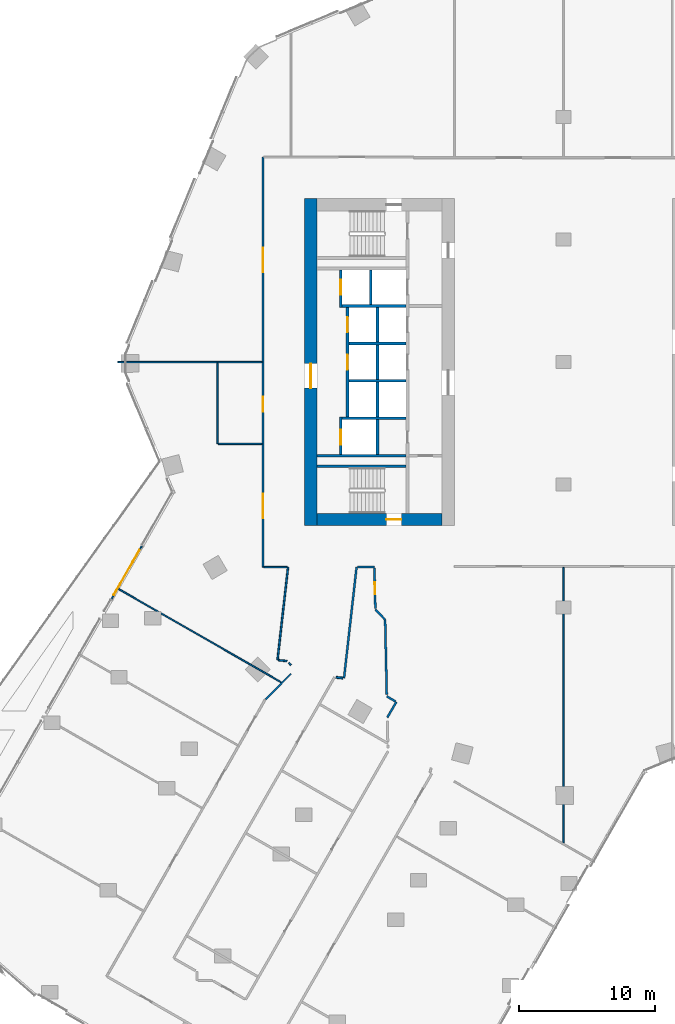
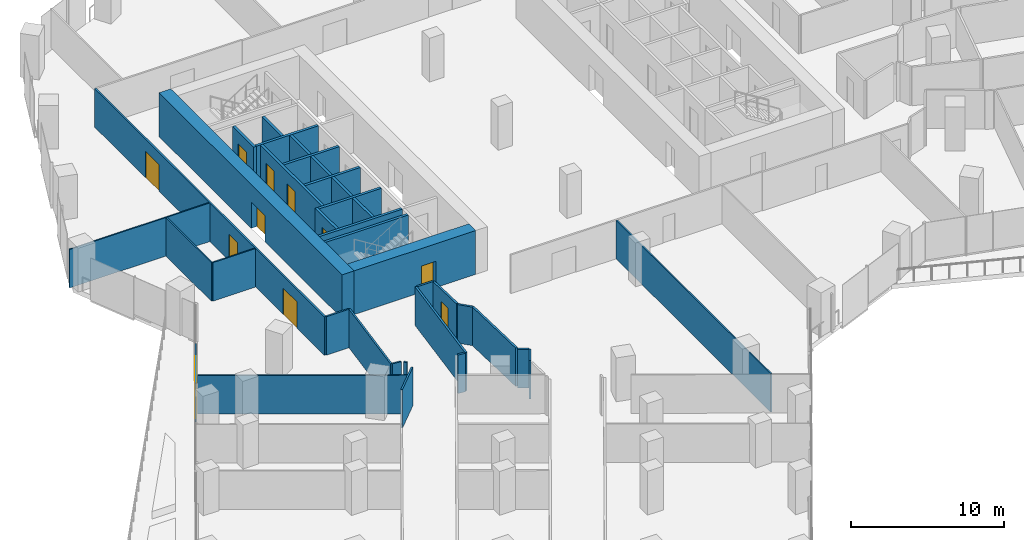
# One storey, part 23 of 34: 36 walls, 11 doors, 2 windows, 13 openings.
"""IFC4 building model written with IfcOpenShell, lengths in metres."""

from ifc_helpers import new_model, si_unit, direction, frame, frame_2d, origin, place, context, subcontext, project, spatial, rectangle, extrude, material, layer, layer_set, type_object, element, fill, save


model = new_model("IFC4")

# Units and contexts
model_context = context("Model", 3, precision=1e-05, world=origin(), true_north=direction((0.0, 1.0)))
body_context = subcontext(model_context, "Body", "Model", "MODEL_VIEW")
ifc_project = project(units=[si_unit("LENGTHUNIT", "METRE"), si_unit("AREAUNIT", "SQUARE_METRE"), si_unit("VOLUMEUNIT", "CUBIC_METRE"), si_unit("PLANEANGLEUNIT", "RADIAN"), si_unit("MASSUNIT", "GRAM", prefix="KILO")], contexts=[model_context])

# Site, building, storey
site_placement = place(None, origin())
site = spatial("IfcSite", under=ifc_project, at=site_placement, CompositionType="ELEMENT")
building_placement = place(site_placement, origin())
building = spatial("IfcBuilding", under=site, at=building_placement, Name="Orlundy Tower", CompositionType="ELEMENT")
storey_placement = place(building_placement, frame((0.0, 0.0, 102.199951171875)))
storey = spatial("IfcBuildingStorey", under=building, at=storey_placement, Name="L25", CompositionType="ELEMENT", Elevation=102.199951171875)

# Wall, opening, door
ifc_material_1 = material(Name="Concrete C80/95", Category="concrete")
ifc_layer_1 = layer(ifc_material_1, 0.89990234375)
ifc_layer_set_1 = layer_set([ifc_layer_1], Name="CORE WALL 900 C80/95")
wall_type_1 = type_object("IfcWallType", Name="CORE WALL 900 C80/95", PredefinedType="SHEAR", material=ifc_layer_set_1)
wall_1_placement = place(storey_placement, frame((-18.10009765625, -11.550048828125, 0.0), z_axis=(0.0, 0.0, 1.0), x_axis=(1.0, 0.0, 0.0)))
wall_1 = element("IfcWall", 1, at=wall_1_placement, inside=storey, type_object=wall_type_1, Name="Core wall W-S L25", PredefinedType="SHEAR", context=body_context, shape_type="SweptSolid", body=[
    extrude(rectangle(XDim=9.2001953125, YDim=0.89990234375, at=frame_2d((4.60009765625, 0.0))), origin(), (0.0, 0.0, 1.0), 3.5),
])
opening_1_placement = place(wall_1_placement, frame((5.10009765625, 0.0, 0.0)))
opening_1 = element("IfcOpeningElement", 2, at=opening_1_placement, cuts=wall_1, Name="Opening 20013", PredefinedType="OPENING", context=body_context, shape_type="SweptSolid", body=[
    extrude(rectangle(XDim=1.10009765625, YDim=2.10009765625, at=frame_2d((0.550048828125, 1.050048828125))), frame((0.0, 0.4599609375, 0.0), z_axis=(0.0, -1.0, 0.0), x_axis=(1.0, 0.0, 0.0)), (0.0, 0.0, 1.0), 0.919921875),
])
ifc_material_2 = material(Name="Steel door set", Category="steel")
door_type_1 = type_object("IfcDoorType", Name="Stair Door 1100x2100", OperationType="SINGLE_SWING_LEFT", PredefinedType="DOOR", material=ifc_material_2)
door_1_placement = place(opening_1_placement, origin())
door_1 = element("IfcDoor", 3, at=door_1_placement, inside=storey, type_object=door_type_1, Name="Stair door 20013", OperationType="SINGLE_SWING_RIGHT", OverallHeight=2.10009765625, OverallWidth=1.10009765625, PredefinedType="DOOR", context=body_context, shape_type="SweptSolid", body=[
    extrude(rectangle(XDim=1.10009765625, YDim=2.10009765625, at=frame_2d((0.550048828125, 1.050048828125))), frame((0.0, 0.02490234375, 0.0), z_axis=(0.0, -1.0, 0.0), x_axis=(1.0, 0.0, 0.0)), (0.0, 0.0, 1.0), 0.050048828125),
])
fill(opening_1, door_1)

wall_2_placement = place(storey_placement, frame((-18.550048828125, -12.0, 0.0), z_axis=(0.0, 0.0, 1.0), x_axis=(0.0, 1.0, 0.0)))
wall_2 = element("IfcWall", 4, at=wall_2_placement, inside=storey, type_object=wall_type_1, Name="Core wall W-W L25", PredefinedType="SHEAR", context=body_context, shape_type="SweptSolid", body=[
    extrude(rectangle(XDim=24.0, YDim=0.89990234375, at=frame_2d((12.0, 0.0))), origin(), (0.0, 0.0, 1.0), 3.5),
])
opening_2_placement = place(wall_2_placement, frame((10.10009765625, 0.0, 0.0)))
opening_2 = element("IfcOpeningElement", 5, at=opening_2_placement, cuts=wall_2, Name="Opening 20010", PredefinedType="OPENING", context=body_context, shape_type="SweptSolid", body=[
    extrude(rectangle(XDim=1.800048828125, YDim=2.10009765625, at=frame_2d((0.89990234375, 1.050048828125))), frame((0.0, 0.4599609375, 0.0), z_axis=(0.0, -1.0, 0.0), x_axis=(1.0, 0.0, 0.0)), (0.0, 0.0, 1.0), 0.919921875),
])
ifc_material_3 = material(Name="Timber door set", Category="wood")
door_type_2 = type_object("IfcDoorType", Name="Lobby Door 1800x2100", OperationType="DOUBLE_DOOR_DOUBLE_SWING", PredefinedType="DOOR", material=ifc_material_3)
door_2_placement = place(opening_2_placement, origin())
door_2 = element("IfcDoor", 6, at=door_2_placement, inside=storey, type_object=door_type_2, Name="Lift lobby door 20010", OperationType="SINGLE_SWING_LEFT", OverallHeight=2.10009765625, OverallWidth=1.800048828125, PredefinedType="DOOR", context=body_context, shape_type="SweptSolid", body=[
    extrude(rectangle(XDim=1.800048828125, YDim=2.10009765625, at=frame_2d((0.89990234375, 1.050048828125))), frame((0.0, 0.02490234375, 0.0), z_axis=(0.0, -1.0, 0.0), x_axis=(1.0, 0.0, 0.0)), (0.0, 0.0, 1.0), 0.050048828125),
])
fill(opening_2, door_2)

# Walls
ifc_material_4 = material(Name="Gypsum board partition")
ifc_layer_2 = layer(ifc_material_4, 0.10009765625)
ifc_layer_set_2 = layer_set([ifc_layer_2], Name="Floor partition 100")
wall_type_2 = type_object("IfcWallType", Name="Floor partition 100", PredefinedType="PARTITIONING", material=ifc_layer_set_2)
wall_3_placement = place(storey_placement, frame((-32.64501953125, -16.662109375, 0.0), z_axis=(0.0, 0.0, 1.0), x_axis=(0.867516428304, -0.497408530911, 0.0)))
element("IfcWall", 7, at=wall_3_placement, inside=storey, type_object=wall_type_2, Name="wall-int-L25-020", PredefinedType="PARTITIONING", context=body_context, shape_type="SweptSolid", body=[
    extrude(rectangle(XDim=13.7451171875, YDim=0.10009765625, at=frame_2d((6.87255859375, 0.0))), origin(), (0.0, 0.0, 1.0), 3.080078125),
])
wall_4_placement = place(storey_placement, frame((-25.33203125, -5.9990234375, 0.0), z_axis=(0.0, 0.0, 1.0), x_axis=(1.0, 0.0, 0.0)))
element("IfcWall", 8, at=wall_4_placement, inside=storey, type_object=wall_type_2, Name="wall-int-L25-043", PredefinedType="PARTITIONING", context=body_context, shape_type="SweptSolid", body=[
    extrude(rectangle(XDim=3.218994140625, YDim=0.10009765625, at=frame_2d((1.609375, 0.0))), origin(), (0.0, 0.0, 1.0), 3.080078125),
])
wall_5_placement = place(storey_placement, frame((-32.7041015625, 0.0, 0.0), z_axis=(0.0, 0.0, 1.0), x_axis=(1.0, 0.0, 0.0)))
element("IfcWall", 9, at=wall_5_placement, inside=storey, type_object=wall_type_2, Name="wall-int-L25-045", PredefinedType="PARTITIONING", context=body_context, shape_type="SweptSolid", body=[
    extrude(rectangle(XDim=10.591064453125, YDim=0.10009765625, at=frame_2d((5.29541015625, 0.0))), origin(), (0.0, 0.0, 1.0), 3.080078125),
])
wall_6_placement = place(storey_placement, frame((-0.0009765625, -35.294921875, 0.0), z_axis=(0.0, 0.0, 1.0), x_axis=(4.8266042e-05, 0.999999998835, 0.0)))
element("IfcWall", 10, at=wall_6_placement, inside=storey, type_object=wall_type_2, Name="wall-int-L25-092", PredefinedType="PARTITIONING", context=body_context, shape_type="SweptSolid", body=[
    extrude(rectangle(XDim=20.23291015625, YDim=0.10009765625, at=frame_2d((10.116455078125, 0.0))), origin(), (0.0, 0.0, 1.0), 3.080078125),
])
wall_7_placement = place(storey_placement, frame((-25.382080078125, -5.9990234375, 0.0), z_axis=(0.0, 0.0, 1.0), x_axis=(0.0, 1.0, 0.0)))
element("IfcWall", 11, at=wall_7_placement, inside=storey, type_object=wall_type_2, Name="wall-int-L25-097", PredefinedType="PARTITIONING", context=body_context, shape_type="SweptSolid", body=[
    extrude(rectangle(XDim=5.948974609375, YDim=0.10009765625, at=frame_2d((2.974609375, 0.0))), origin(), (0.0, 0.0, 1.0), 3.080078125),
])
ifc_material_5 = material(Name="Gypsum board partition, double layer")
ifc_layer_3 = layer(ifc_material_5, 0.125)
ifc_layer_set_3 = layer_set([ifc_layer_3], Name="Floor partition 125")
wall_type_3 = type_object("IfcWallType", Name="Floor partition 125", PredefinedType="PARTITIONING", material=ifc_layer_set_3)
wall_8_placement = place(storey_placement, frame((-20.1630859375, -22.076904296875, 0.0), z_axis=(0.0, 0.0, 1.0), x_axis=(0.707106781187, -0.707106781187, 0.0)))
element("IfcWall", 12, at=wall_8_placement, inside=storey, type_object=wall_type_3, Name="wall-int-L25-006", PredefinedType="PARTITIONING", context=body_context, shape_type="SweptSolid", body=[
    extrude(rectangle(XDim=0.230712890625, YDim=0.125, at=frame_2d((0.115234375, 0.0))), origin(), (0.0, 0.0, 1.0), 3.080078125),
])
wall_9_placement = place(storey_placement, frame((-20.924072265625, -21.8798828125, 0.0), z_axis=(0.0, 0.0, 1.0), x_axis=(0.993780638981, -0.111355473987, 0.0)))
element("IfcWall", 13, at=wall_9_placement, inside=storey, type_object=wall_type_3, Name="wall-int-L25-034", PredefinedType="PARTITIONING", context=body_context, shape_type="SweptSolid", body=[
    extrude(rectangle(XDim=0.637939453125, YDim=0.125, at=frame_2d((0.31884765625, 0.0))), origin(), (0.0, 0.0, 1.0), 3.080078125),
])
wall_10_placement = place(storey_placement, frame((-21.988037109375, -15.051025390625, 0.0), z_axis=(0.0, 0.0, 1.0), x_axis=(1.0, 0.0, 0.0)))
element("IfcWall", 14, at=wall_10_placement, inside=storey, type_object=wall_type_3, Name="wall-int-L25-039", PredefinedType="PARTITIONING", context=body_context, shape_type="SweptSolid", body=[
    extrude(rectangle(XDim=1.712158203125, YDim=0.125, at=frame_2d((0.85595703125, 0.0))), origin(), (0.0, 0.0, 1.0), 3.080078125),
])
wall_11_placement = place(storey_placement, frame((-20.0, -22.882080078125, 0.0), z_axis=(0.0, 0.0, 1.0), x_axis=(-0.705070089301, -0.709137623578, 0.0)))
element("IfcWall", 15, at=wall_11_placement, inside=storey, type_object=wall_type_3, Name="wall-int-L25-054", PredefinedType="PARTITIONING", context=body_context, shape_type="SweptSolid", body=[
    extrude(rectangle(XDim=2.640869140625, YDim=0.125, at=frame_2d((1.3203125, 0.0))), origin(), (0.0, 0.0, 1.0), 3.080078125),
])
wall_12_placement = place(storey_placement, frame((-20.986083984375, -21.8720703125, 0.0), z_axis=(0.0, 0.0, 1.0), x_axis=(0.112457212795, 0.993656568081, 0.0)))
element("IfcWall", 16, at=wall_12_placement, inside=storey, type_object=wall_type_3, Name="wall-int-L25-082", PredefinedType="PARTITIONING", context=body_context, shape_type="SweptSolid", body=[
    extrude(rectangle(XDim=6.864501953125, YDim=0.125, at=frame_2d((3.43212890625, 0.0))), origin(), (0.0, 0.0, 1.0), 3.080078125),
])

# Wall, openings, doors
wall_13_placement = place(storey_placement, frame((-22.050048828125, -15.051025390625, 0.0), z_axis=(0.0, 0.0, 1.0), x_axis=(0.0, 1.0, 0.0)))
wall_13 = element("IfcWall", 17, at=wall_13_placement, inside=storey, type_object=wall_type_3, Name="wall-int-L25-096", PredefinedType="PARTITIONING", context=body_context, shape_type="SweptSolid", body=[
    extrude(rectangle(XDim=30.10205078125, YDim=0.125, at=frame_2d((15.051025390625, 0.0))), origin(), (0.0, 0.0, 1.0), 3.080078125),
])
opening_3_placement = place(wall_13_placement, frame((3.60009765625, 0.0, 0.0)))
opening_3 = element("IfcOpeningElement", 18, at=opening_3_placement, cuts=wall_13, Name="Opening 20122", PredefinedType="OPENING", context=body_context, shape_type="SweptSolid", body=[
    extrude(rectangle(XDim=1.800048828125, YDim=2.10009765625, at=frame_2d((0.89990234375, 1.050048828125))), frame((0.0, 0.072509765625, 0.0), z_axis=(0.0, -1.0, 0.0), x_axis=(1.0, 0.0, 0.0)), (0.0, 0.0, 1.0), 0.14501953125),
])
opening_4_placement = place(wall_13_placement, frame((21.65087890625, 0.0, 0.0)))
opening_4 = element("IfcOpeningElement", 19, at=opening_4_placement, cuts=wall_13, Name="Opening 20132", PredefinedType="OPENING", context=body_context, shape_type="SweptSolid", body=[
    extrude(rectangle(XDim=1.800048828125, YDim=2.10009765625, at=frame_2d((0.89990234375, 1.050048828125))), frame((0.0, 0.072509765625, 0.0), z_axis=(0.0, -1.0, 0.0), x_axis=(1.0, 0.0, 0.0)), (0.0, 0.0, 1.0), 0.14501953125),
])
opening_5_placement = place(wall_13_placement, frame((11.402099609375, 0.0, 0.0)))
opening_5 = element("IfcOpeningElement", 20, at=opening_5_placement, cuts=wall_13, Name="Opening 20134", PredefinedType="OPENING", context=body_context, shape_type="SweptSolid", body=[
    extrude(rectangle(XDim=1.10009765625, YDim=2.10009765625, at=frame_2d((0.550048828125, 1.050048828125))), frame((0.0, 0.072509765625, 0.0), z_axis=(0.0, -1.0, 0.0), x_axis=(1.0, 0.0, 0.0)), (0.0, 0.0, 1.0), 0.14501953125),
])
ifc_material_6 = material(Name="Timber door leaf", Category="wood")
door_type_3 = type_object("IfcDoorType", Name="Floor door double 1800 FD30S", OperationType="NOTDEFINED", PredefinedType="DOOR", material=ifc_material_6)
door_3_placement = place(opening_3_placement, origin())
door_3 = element("IfcDoor", 21, at=door_3_placement, inside=storey, type_object=door_type_3, Name="Door 20122", OperationType="DOUBLE_DOOR_SINGLE_SWING", OverallHeight=2.10009765625, OverallWidth=1.800048828125, PredefinedType="DOOR", context=body_context, shape_type="SweptSolid", body=[
    extrude(rectangle(XDim=1.800048828125, YDim=2.10009765625, at=frame_2d((0.89990234375, 1.050048828125))), frame((0.0, 0.02490234375, 0.0), z_axis=(0.0, -1.0, 0.0), x_axis=(1.0, 0.0, 0.0)), (0.0, 0.0, 1.0), 0.050048828125),
])
fill(opening_3, door_3)
door_4_placement = place(opening_4_placement, origin())
door_4 = element("IfcDoor", 22, at=door_4_placement, inside=storey, type_object=door_type_3, Name="Door 20132", OperationType="DOUBLE_DOOR_SINGLE_SWING", OverallHeight=2.10009765625, OverallWidth=1.800048828125, PredefinedType="DOOR", context=body_context, shape_type="SweptSolid", body=[
    extrude(rectangle(XDim=1.800048828125, YDim=2.10009765625, at=frame_2d((0.89990234375, 1.050048828125))), frame((0.0, 0.02490234375, 0.0), z_axis=(0.0, -1.0, 0.0), x_axis=(1.0, 0.0, 0.0)), (0.0, 0.0, 1.0), 0.050048828125),
])
fill(opening_4, door_4)
ifc_material_7 = material(Name="Timber door leaf", Category="wood")
door_type_4 = type_object("IfcDoorType", Name="Floor door xwide 1100 FD30S", OperationType="NOTDEFINED", PredefinedType="DOOR", material=ifc_material_7)
door_5_placement = place(opening_5_placement, origin())
door_5 = element("IfcDoor", 23, at=door_5_placement, inside=storey, type_object=door_type_4, Name="Door 20134", OperationType="SINGLE_SWING_LEFT", OverallHeight=2.10009765625, OverallWidth=1.10009765625, PredefinedType="DOOR", context=body_context, shape_type="SweptSolid", body=[
    extrude(rectangle(XDim=1.10009765625, YDim=2.10009765625, at=frame_2d((0.550048828125, 1.050048828125))), frame((0.0, 0.02490234375, 0.0), z_axis=(0.0, -1.0, 0.0), x_axis=(1.0, 0.0, 0.0)), (0.0, 0.0, 1.0), 0.050048828125),
])
fill(opening_5, door_5)

# Wall, opening, door
ifc_material_8 = material(Name="Blockwork shaft wall", Category="masonry")
ifc_layer_4 = layer(ifc_material_8, 0.14990234375)
ifc_layer_set_4 = layer_set([ifc_layer_4], Name="Floor shaft wall 150")
wall_type_4 = type_object("IfcWallType", Name="Floor shaft wall 150", PredefinedType="PARTITIONING", material=ifc_layer_set_4)
wall_14_placement = place(storey_placement, frame((-13.802978515625, -18.0791015625, 0.0), z_axis=(0.0, 0.0, 1.0), x_axis=(-0.021654973705, 0.999765503563, 0.0)))
wall_14 = element("IfcWall", 24, at=wall_14_placement, inside=storey, type_object=wall_type_4, Name="wall-int-L25-003", PredefinedType="PARTITIONING", context=body_context, shape_type="SweptSolid", body=[
    extrude(rectangle(XDim=2.953857421875, YDim=0.14990234375, at=frame_2d((1.47705078125, 0.0))), origin(), (0.0, 0.0, 1.0), 3.080078125),
])
opening_6_placement = place(wall_14_placement, frame((1.02490234375, 0.0, 0.0)))
opening_6 = element("IfcOpeningElement", 25, at=opening_6_placement, cuts=wall_14, Name="Opening 20121", PredefinedType="OPENING", context=body_context, shape_type="SweptSolid", body=[
    extrude(rectangle(XDim=0.89990234375, YDim=2.10009765625, at=frame_2d((0.449951171875, 1.050048828125))), frame((0.0, 0.0849609375, 0.0), z_axis=(0.0, -1.0, 0.0), x_axis=(1.0, 0.0, 0.0)), (0.0, 0.0, 1.0), 0.169921875),
])
ifc_material_9 = material(Name="Timber door leaf", Category="wood")
door_type_5 = type_object("IfcDoorType", Name="Floor door single 900 FD60", OperationType="NOTDEFINED", PredefinedType="DOOR", material=ifc_material_9)
door_6_placement = place(opening_6_placement, origin())
door_6 = element("IfcDoor", 26, at=door_6_placement, inside=storey, type_object=door_type_5, Name="Door 20121", OperationType="SINGLE_SWING_LEFT", OverallHeight=2.10009765625, OverallWidth=0.89990234375, PredefinedType="DOOR", context=body_context, shape_type="SweptSolid", body=[
    extrude(rectangle(XDim=0.89990234375, YDim=2.10009765625, at=frame_2d((0.449951171875, 1.050048828125))), frame((0.0, 0.02490234375, 0.0), z_axis=(0.0, -1.0, 0.0), x_axis=(1.0, 0.0, 0.0)), (0.0, 0.0, 1.0), 0.050048828125),
])
fill(opening_6, door_6)

# Walls
wall_15_placement = place(storey_placement, frame((-13.0849609375, -18.9130859375, 0.0), z_axis=(0.0, 0.0, 1.0), x_axis=(0.021995655044, -0.999758066314, 0.0)))
element("IfcWall", 27, at=wall_15_placement, inside=storey, type_object=wall_type_4, Name="wall-int-L25-004", PredefinedType="PARTITIONING", context=body_context, shape_type="SweptSolid", body=[
    extrude(rectangle(XDim=5.494140625, YDim=0.14990234375, at=frame_2d((2.7470703125, 0.0))), origin(), (0.0, 0.0, 1.0), 3.080078125),
])
wall_16_placement = place(storey_placement, frame((-12.9609375, -24.5400390625, 0.0), z_axis=(0.0, 0.0, 1.0), x_axis=(0.863766837374, -0.503891705283, 0.0)))
element("IfcWall", 28, at=wall_16_placement, inside=storey, type_object=wall_type_4, Name="wall-int-L25-007", PredefinedType="PARTITIONING", context=body_context, shape_type="SweptSolid", body=[
    extrude(rectangle(XDim=0.734130859375, YDim=0.14990234375, at=frame_2d((0.3671875, 0.0))), origin(), (0.0, 0.0, 1.0), 3.080078125),
])
wall_17_placement = place(storey_placement, frame((-16.68701171875, -23.14111328125, 0.0), z_axis=(0.0, 0.0, 1.0), x_axis=(0.993552701249, -0.113371203754, 0.0)))
element("IfcWall", 29, at=wall_17_placement, inside=storey, type_object=wall_type_4, Name="wall-int-L25-033", PredefinedType="PARTITIONING", context=body_context, shape_type="SweptSolid", body=[
    extrude(rectangle(XDim=0.51025390625, YDim=0.14990234375, at=frame_2d((0.255126953125, 0.0))), origin(), (0.0, 0.0, 1.0), 3.080078125),
])
wall_18_placement = place(storey_placement, frame((-15.10595703125, -15.051025390625, 0.0), z_axis=(0.0, 0.0, 1.0), x_axis=(1.0, 0.0, 0.0)))
element("IfcWall", 30, at=wall_18_placement, inside=storey, type_object=wall_type_4, Name="wall-int-L25-040", PredefinedType="PARTITIONING", context=body_context, shape_type="SweptSolid", body=[
    extrude(rectangle(XDim=1.237060546875, YDim=0.14990234375, at=frame_2d((0.61865234375, 0.0))), origin(), (0.0, 0.0, 1.0), 3.080078125),
])
wall_19_placement = place(storey_placement, frame((-13.801025390625, -18.154052734375, 0.0), z_axis=(0.0, 0.0, 1.0), x_axis=(0.686218091213, -0.727395855977, 0.0)))
element("IfcWall", 31, at=wall_19_placement, inside=storey, type_object=wall_type_4, Name="wall-int-L25-051", PredefinedType="PARTITIONING", context=body_context, shape_type="SweptSolid", body=[
    extrude(rectangle(XDim=1.04345703125, YDim=0.14990234375, at=frame_2d((0.521728515625, 0.0))), origin(), (0.0, 0.0, 1.0), 3.080078125),
])
wall_20_placement = place(storey_placement, frame((-12.927001953125, -26.092041015625, 0.0), z_axis=(0.0, 0.0, 1.0), x_axis=(0.502562736504, 0.864540742752, 0.0)))
element("IfcWall", 32, at=wall_20_placement, inside=storey, type_object=wall_type_4, Name="wall-int-L25-056", PredefinedType="PARTITIONING", context=body_context, shape_type="SweptSolid", body=[
    extrude(rectangle(XDim=1.3232421875, YDim=0.14990234375, at=frame_2d((0.66162109375, 0.0))), origin(), (0.0, 0.0, 1.0), 3.080078125),
])
wall_21_placement = place(storey_placement, frame((-16.10400390625, -23.20703125, 0.0), z_axis=(0.0, 0.0, 1.0), x_axis=(0.112384250222, 0.993664822917, 0.0)))
element("IfcWall", 33, at=wall_21_placement, inside=storey, type_object=wall_type_4, Name="wall-int-L25-081", PredefinedType="PARTITIONING", context=body_context, shape_type="SweptSolid", body=[
    extrude(rectangle(XDim=8.205078125, YDim=0.14990234375, at=frame_2d((4.1025390625, 0.0))), origin(), (0.0, 0.0, 1.0), 3.080078125),
])

# Wall, openings, windows, door
ifc_material_10 = material(Name="Aluminium bronze and tinted glass", Category="aluminium")
ifc_layer_5 = layer(ifc_material_10, 0.10009765625)
ifc_layer_set_5 = layer_set([ifc_layer_5], Name="Glazed door screen")
wall_type_5 = type_object("IfcWallType", Name="Glazed door screen", PredefinedType="STANDARD", material=ifc_layer_set_5)
wall_22_placement = place(storey_placement, frame((-33.192626953125, -17.41552734375, 0.0), z_axis=(0.0, 0.0, 1.0), x_axis=(0.497482354019, 0.86747409612, 0.0)))
wall_22 = element("IfcWall", 34, at=wall_22_placement, inside=storey, type_object=wall_type_5, Name="Glazed door screen", PredefinedType="STANDARD", context=body_context, shape_type="SweptSolid", body=[
    extrude(rectangle(XDim=4.53857421875, YDim=0.10009765625, at=frame_2d((2.269287109375, 0.0))), origin(), (0.0, 0.0, 1.0), 3.10009765625),
])
opening_7_placement = place(wall_22_placement, frame((1.36865234375, 0.0, 0.0)))
opening_7 = element("IfcOpeningElement", 35, at=opening_7_placement, cuts=wall_22, Name="Opening 20942", PredefinedType="OPENING", context=body_context, shape_type="SweptSolid", body=[
    extrude(rectangle(XDim=1.800048828125, YDim=2.39990234375, at=frame_2d((0.89990234375, 1.199951171875))), frame((0.0, 0.06005859375, 0.0), z_axis=(0.0, -1.0, 0.0), x_axis=(1.0, 0.0, 0.0)), (0.0, 0.0, 1.0), 0.1201171875),
])
opening_8_placement = place(wall_22_placement, frame((0.36865234375, 0.0, 0.0)))
opening_8 = element("IfcOpeningElement", 36, at=opening_8_placement, cuts=wall_22, Name="Opening W02", PredefinedType="OPENING", context=body_context, shape_type="SweptSolid", body=[
    extrude(rectangle(XDim=0.89990234375, YDim=2.39990234375, at=frame_2d((0.449951171875, 1.199951171875))), frame((0.0, 0.06005859375, 0.0), z_axis=(0.0, -1.0, 0.0), x_axis=(1.0, 0.0, 0.0)), (0.0, 0.0, 1.0), 0.1201171875),
])
opening_9_placement = place(wall_22_placement, frame((3.2685546875, 0.0, 0.0)))
opening_9 = element("IfcOpeningElement", 37, at=opening_9_placement, cuts=wall_22, Name="Opening W02", PredefinedType="OPENING", context=body_context, shape_type="SweptSolid", body=[
    extrude(rectangle(XDim=0.89990234375, YDim=2.39990234375, at=frame_2d((0.449951171875, 1.199951171875))), frame((0.0, 0.06005859375, 0.0), z_axis=(0.0, -1.0, 0.0), x_axis=(1.0, 0.0, 0.0)), (0.0, 0.0, 1.0), 0.1201171875),
])
ifc_material_11 = material(Name="Tinted glass in bronze aluminium frame", Category="aluminium")
window_type = type_object("IfcWindowType", Name="SL2 sidelight 900x2400", PartitioningType="SINGLE_PANEL", PredefinedType="WINDOW", material=ifc_material_11)
window_1_placement = place(opening_8_placement, origin())
window_1 = element("IfcWindow", 38, at=window_1_placement, inside=storey, type_object=window_type, Name="Window W02 L25", OverallHeight=2.39990234375, OverallWidth=0.89990234375, PartitioningType="SINGLE_PANEL", PredefinedType="WINDOW", context=body_context, shape_type="SweptSolid", body=[
    extrude(rectangle(XDim=0.89990234375, YDim=2.39990234375, at=frame_2d((0.449951171875, 1.199951171875))), frame((0.0, 0.030029296875, 0.0), z_axis=(0.0, -1.0, 0.0), x_axis=(1.0, 0.0, 0.0)), (0.0, 0.0, 1.0), 0.06005859375),
])
fill(opening_8, window_1)
window_2_placement = place(opening_9_placement, origin())
window_2 = element("IfcWindow", 39, at=window_2_placement, inside=storey, type_object=window_type, Name="Window W02 L25", OverallHeight=2.39990234375, OverallWidth=0.89990234375, PartitioningType="SINGLE_PANEL", PredefinedType="WINDOW", context=body_context, shape_type="SweptSolid", body=[
    extrude(rectangle(XDim=0.89990234375, YDim=2.39990234375, at=frame_2d((0.449951171875, 1.199951171875))), frame((0.0, 0.030029296875, 0.0), z_axis=(0.0, -1.0, 0.0), x_axis=(1.0, 0.0, 0.0)), (0.0, 0.0, 1.0), 0.06005859375),
])
fill(opening_9, window_2)
ifc_material_12 = material(Name="Aluminium bronze and tinted glass", Category="aluminium")
door_type_6 = type_object("IfcDoorType", Name="TD1 terrace door 1800x2400", OperationType="NOTDEFINED", PredefinedType="DOOR", material=ifc_material_12)
door_7_placement = place(opening_7_placement, origin())
door_7 = element("IfcDoor", 40, at=door_7_placement, inside=storey, type_object=door_type_6, Name="Door 20942", OperationType="DOUBLE_DOOR_SINGLE_SWING", OverallHeight=2.39990234375, OverallWidth=1.800048828125, PredefinedType="DOOR", context=body_context, shape_type="SweptSolid", body=[
    extrude(rectangle(XDim=1.800048828125, YDim=2.39990234375, at=frame_2d((0.89990234375, 1.199951171875))), frame((0.0, 0.02490234375, 0.0), z_axis=(0.0, -1.0, 0.0), x_axis=(1.0, 0.0, 0.0)), (0.0, 0.0, 1.0), 0.050048828125),
])
fill(opening_7, door_7)

# Walls
ifc_material_13 = material(Name="Concrete C40/50", Category="concrete")
ifc_layer_6 = layer(ifc_material_13, 0.199951171875)
ifc_layer_set_6 = layer_set([ifc_layer_6], Name="Load-bearing Shaft Wall 200")
wall_type_6 = type_object("IfcWallType", Name="Load-bearing Shaft Wall 200", PredefinedType="SOLIDWALL", material=ifc_layer_set_6)
wall_23_placement = place(storey_placement, frame((-11.5400390625, -7.64990234375, 0.0), z_axis=(0.0, 0.0, 1.0), x_axis=(-1.0, 0.0, 0.0)))
element("IfcWall", 41, at=wall_23_placement, inside=storey, type_object=wall_type_6, Name="Shaft wall W20-stair-side-s", PredefinedType="SOLIDWALL", context=body_context, shape_type="SweptSolid", body=[
    extrude(rectangle(XDim=6.56005859375, YDim=0.199951171875, at=frame_2d((3.280029296875, 0.0))), origin(), (0.0, 0.0, 1.0), 3.090087890625),
])
ifc_material_14 = material(Name="Fire-rated blockwork shaft wall", Category="masonry")
ifc_layer_7 = layer(ifc_material_14, 0.199951171875)
ifc_layer_set_7 = layer_set([ifc_layer_7], Name="Shaft Wall 200")
wall_type_7 = type_object("IfcWallType", Name="Shaft Wall 200", PredefinedType="SOLIDWALL", material=ifc_layer_set_7)
wall_24_placement = place(storey_placement, frame((-11.5400390625, -6.875, 0.0), z_axis=(0.0, 0.0, 1.0), x_axis=(-1.0, 0.0, 0.0)))
element("IfcWall", 42, at=wall_24_placement, inside=storey, type_object=wall_type_7, Name="Shaft wall W20-zone-s", PredefinedType="SOLIDWALL", context=body_context, shape_type="SweptSolid", body=[
    extrude(rectangle(XDim=6.56005859375, YDim=0.199951171875, at=frame_2d((3.280029296875, 0.0))), origin(), (0.0, 0.0, 1.0), 3.090087890625),
])
wall_25_placement = place(storey_placement, frame((-11.5400390625, -4.125, 0.0), z_axis=(0.0, 0.0, 1.0), x_axis=(-1.0, 0.0, 0.0)))
element("IfcWall", 43, at=wall_25_placement, inside=storey, type_object=wall_type_7, Name="Shaft wall W20-cross-4.125", PredefinedType="SOLIDWALL", context=body_context, shape_type="SweptSolid", body=[
    extrude(rectangle(XDim=4.699951171875, YDim=0.199951171875, at=frame_2d((2.35009765625, 0.0))), origin(), (0.0, 0.0, 1.0), 3.090087890625),
])
for number, where, z_axis, x_axis, name in (
    (44, (-11.5400390625, -1.375, 0.0), (0.0, 0.0, 1.0), (-1.0, 0.0, 0.0), "Shaft wall W20-cross-1.375"),
    (45, (-11.5400390625, 1.375, 0.0), (0.0, 0.0, 1.0), (-1.0, 0.0, 0.0), "Shaft wall W20-cross+1.375"),
):
    element("IfcWall", number, at=place(storey_placement, frame(where, z_axis=z_axis, x_axis=x_axis)), inside=storey, type_object=wall_type_7, Name=name, PredefinedType="SOLIDWALL", context=body_context, shape_type="SweptSolid", body=[
        extrude(rectangle(XDim=4.199951171875, YDim=0.199951171875, at=frame_2d((2.10009765625, 0.0))), origin(), (0.0, 0.0, 1.0), 3.090087890625),
    ])
wall_26_placement = place(storey_placement, frame((-11.5400390625, 4.125, 0.0), z_axis=(0.0, 0.0, 1.0), x_axis=(-1.0, 0.0, 0.0)))
element("IfcWall", 46, at=wall_26_placement, inside=storey, type_object=wall_type_7, Name="Shaft wall W20-cross+4.125", PredefinedType="SOLIDWALL", context=body_context, shape_type="SweptSolid", body=[
    extrude(rectangle(XDim=4.699951171875, YDim=0.199951171875, at=frame_2d((2.35009765625, 0.0))), origin(), (0.0, 0.0, 1.0), 3.090087890625),
])
for number, where, z_axis, x_axis, name in (
    (47, (-13.639892578125, -6.77490234375, 0.0), (0.0, 0.0, 1.0), (0.0, 1.0, 0.0), "Shaft wall W20-mid-a"),
    (48, (-13.639892578125, -4.02490234375, 0.0), (0.0, 0.0, 1.0), (0.0, 1.0, 0.0), "Shaft wall W20-mid-a.1"),
    (49, (-13.639892578125, -1.27490234375, 0.0), (0.0, 0.0, 1.0), (0.0, 1.0, 0.0), "Shaft wall W20-mid-a.2"),
    (50, (-13.639892578125, 1.47509765625, 0.0), (0.0, 0.0, 1.0), (0.0, 1.0, 0.0), "Shaft wall W20-mid-a.3"),
    (51, (-14.139892578125, 4.22509765625, 0.0), (0.0, 0.0, 1.0), (0.0, 1.0, 0.0), "Shaft wall W20-mid-b"),
):
    element("IfcWall", number, at=place(storey_placement, frame(where, z_axis=z_axis, x_axis=x_axis)), inside=storey, type_object=wall_type_7, Name=name, PredefinedType="SOLIDWALL", context=body_context, shape_type="SweptSolid", body=[
        extrude(rectangle(XDim=2.5498046875, YDim=0.199951171875, at=frame_2d((1.27490234375, 0.0))), origin(), (0.0, 0.0, 1.0), 3.090087890625),
    ])

# Wall, opening, door
wall_27_placement = place(storey_placement, frame((-16.340087890625, -6.77490234375, 0.0), z_axis=(0.0, 0.0, 1.0), x_axis=(0.0, 1.0, 0.0)))
wall_27 = element("IfcWall", 52, at=wall_27_placement, inside=storey, type_object=wall_type_7, Name="Shaft wall W20-front-o-a", PredefinedType="SOLIDWALL", context=body_context, shape_type="SweptSolid", body=[
    extrude(rectangle(XDim=2.75, YDim=0.199951171875, at=frame_2d((1.375, 0.0))), origin(), (0.0, 0.0, 1.0), 3.090087890625),
])
opening_10_placement = place(wall_27_placement, frame((0.72509765625, 0.0, 0.0)))
opening_10 = element("IfcOpeningElement", 53, at=opening_10_placement, cuts=wall_27, Name="Opening 20001", PredefinedType="OPENING", context=body_context, shape_type="SweptSolid", body=[
    extrude(rectangle(XDim=1.10009765625, YDim=2.10009765625, at=frame_2d((0.550048828125, 1.050048828125))), frame((0.0, 0.110107421875, 0.0), z_axis=(0.0, -1.0, 0.0), x_axis=(1.0, 0.0, 0.0)), (0.0, 0.0, 1.0), 0.22021484375),
])
ifc_material_15 = material(Name="Steel door set", Category="steel")
door_type_7 = type_object("IfcDoorType", Name="Landing Door 1100x2100", OperationType="DOUBLE_DOOR_SLIDING", PredefinedType="DOOR", material=ifc_material_15)
door_8_placement = place(opening_10_placement, origin())
door_8 = element("IfcDoor", 54, at=door_8_placement, inside=storey, type_object=door_type_7, Name="Lift landing door LV-01 20001", OperationType="DOUBLE_DOOR_SLIDING", OverallHeight=2.10009765625, OverallWidth=1.10009765625, PredefinedType="DOOR", context=body_context, shape_type="SweptSolid", body=[
    extrude(rectangle(XDim=1.10009765625, YDim=2.10009765625, at=frame_2d((0.550048828125, 1.050048828125))), frame((0.0, 0.02490234375, 0.0), z_axis=(0.0, -1.0, 0.0), x_axis=(1.0, 0.0, 0.0)), (0.0, 0.0, 1.0), 0.050048828125),
])
fill(opening_10, door_8)

# Wall, openings, doors
wall_28_placement = place(storey_placement, frame((-15.840087890625, -4.02490234375, 0.0), z_axis=(0.0, 0.0, 1.0), x_axis=(0.0, 1.0, 0.0)))
wall_28 = element("IfcWall", 55, at=wall_28_placement, inside=storey, type_object=wall_type_7, Name="Shaft wall W20-front-o-b", PredefinedType="SOLIDWALL", context=body_context, shape_type="SweptSolid", body=[
    extrude(rectangle(XDim=8.0498046875, YDim=0.199951171875, at=frame_2d((4.02490234375, 0.0))), origin(), (0.0, 0.0, 1.0), 3.090087890625),
])
opening_11_placement = place(wall_28_placement, frame((3.47509765625, 0.0, 0.0)))
opening_11 = element("IfcOpeningElement", 56, at=opening_11_placement, cuts=wall_28, Name="Opening 20003", PredefinedType="OPENING", context=body_context, shape_type="SweptSolid", body=[
    extrude(rectangle(XDim=1.10009765625, YDim=2.10009765625, at=frame_2d((0.550048828125, 1.050048828125))), frame((0.0, 0.110107421875, 0.0), z_axis=(0.0, -1.0, 0.0), x_axis=(1.0, 0.0, 0.0)), (0.0, 0.0, 1.0), 0.22021484375),
])
opening_12_placement = place(wall_28_placement, frame((6.22509765625, 0.0, 0.0)))
opening_12 = element("IfcOpeningElement", 57, at=opening_12_placement, cuts=wall_28, Name="Opening 20005", PredefinedType="OPENING", context=body_context, shape_type="SweptSolid", body=[
    extrude(rectangle(XDim=1.10009765625, YDim=2.10009765625, at=frame_2d((0.550048828125, 1.050048828125))), frame((0.0, 0.110107421875, 0.0), z_axis=(0.0, -1.0, 0.0), x_axis=(1.0, 0.0, 0.0)), (0.0, 0.0, 1.0), 0.22021484375),
])
door_9_placement = place(opening_11_placement, origin())
door_9 = element("IfcDoor", 58, at=door_9_placement, inside=storey, type_object=door_type_7, Name="Lift landing door LP-01 20003", OperationType="DOUBLE_DOOR_SLIDING", OverallHeight=2.10009765625, OverallWidth=1.10009765625, PredefinedType="DOOR", context=body_context, shape_type="SweptSolid", body=[
    extrude(rectangle(XDim=1.10009765625, YDim=2.10009765625, at=frame_2d((0.550048828125, 1.050048828125))), frame((0.0, 0.02490234375, 0.0), z_axis=(0.0, -1.0, 0.0), x_axis=(1.0, 0.0, 0.0)), (0.0, 0.0, 1.0), 0.050048828125),
])
fill(opening_11, door_9)
door_10_placement = place(opening_12_placement, origin())
door_10 = element("IfcDoor", 59, at=door_10_placement, inside=storey, type_object=door_type_7, Name="Lift landing door LP-03 20005", OperationType="DOUBLE_DOOR_SLIDING", OverallHeight=2.10009765625, OverallWidth=1.10009765625, PredefinedType="DOOR", context=body_context, shape_type="SweptSolid", body=[
    extrude(rectangle(XDim=1.10009765625, YDim=2.10009765625, at=frame_2d((0.550048828125, 1.050048828125))), frame((0.0, 0.02490234375, 0.0), z_axis=(0.0, -1.0, 0.0), x_axis=(1.0, 0.0, 0.0)), (0.0, 0.0, 1.0), 0.050048828125),
])
fill(opening_12, door_10)

# Wall, opening, door
wall_29_placement = place(storey_placement, frame((-16.340087890625, 4.02490234375, 0.0), z_axis=(0.0, 0.0, 1.0), x_axis=(0.0, 1.0, 0.0)))
wall_29 = element("IfcWall", 60, at=wall_29_placement, inside=storey, type_object=wall_type_7, Name="Shaft wall W20-front-o-c", PredefinedType="SOLIDWALL", context=body_context, shape_type="SweptSolid", body=[
    extrude(rectangle(XDim=2.75, YDim=0.199951171875, at=frame_2d((1.375, 0.0))), origin(), (0.0, 0.0, 1.0), 3.090087890625),
])
opening_13_placement = place(wall_29_placement, frame((0.925048828125, 0.0, 0.0)))
opening_13 = element("IfcOpeningElement", 61, at=opening_13_placement, cuts=wall_29, Name="Opening 20007", PredefinedType="OPENING", context=body_context, shape_type="SweptSolid", body=[
    extrude(rectangle(XDim=1.10009765625, YDim=2.10009765625, at=frame_2d((0.550048828125, 1.050048828125))), frame((0.0, 0.110107421875, 0.0), z_axis=(0.0, -1.0, 0.0), x_axis=(1.0, 0.0, 0.0)), (0.0, 0.0, 1.0), 0.22021484375),
])
door_11_placement = place(opening_13_placement, origin())
door_11 = element("IfcDoor", 62, at=door_11_placement, inside=storey, type_object=door_type_7, Name="Lift landing door LP-04 20007", OperationType="DOUBLE_DOOR_SLIDING", OverallHeight=2.10009765625, OverallWidth=1.10009765625, PredefinedType="DOOR", context=body_context, shape_type="SweptSolid", body=[
    extrude(rectangle(XDim=1.10009765625, YDim=2.10009765625, at=frame_2d((0.550048828125, 1.050048828125))), frame((0.0, 0.02490234375, 0.0), z_axis=(0.0, -1.0, 0.0), x_axis=(1.0, 0.0, 0.0)), (0.0, 0.0, 1.0), 0.050048828125),
])
fill(opening_13, door_11)

save(model, "model.ifc")
